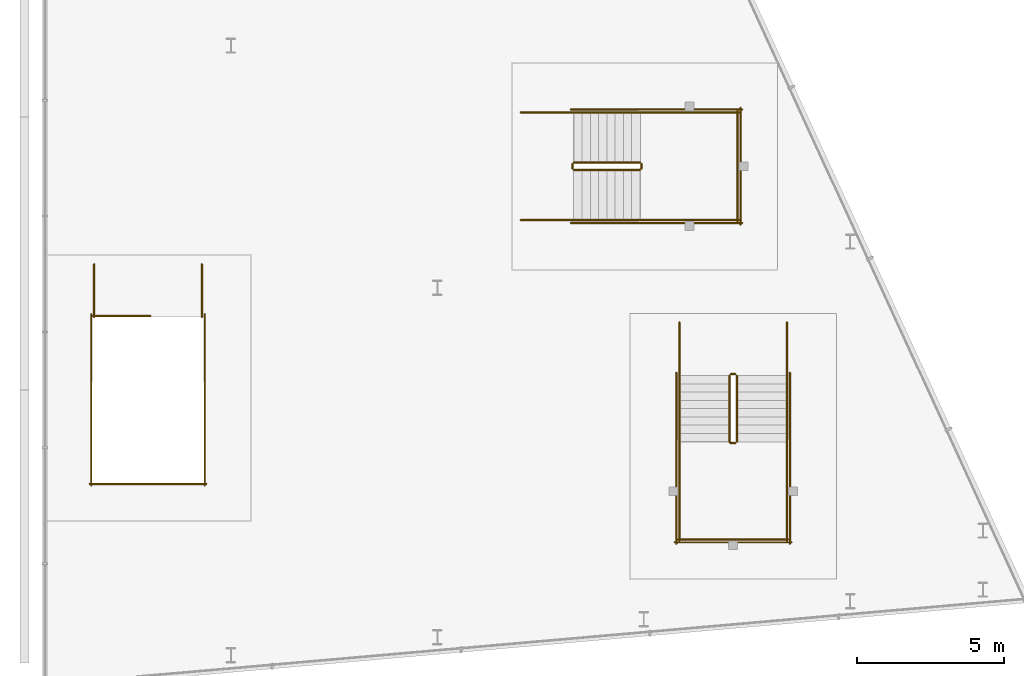
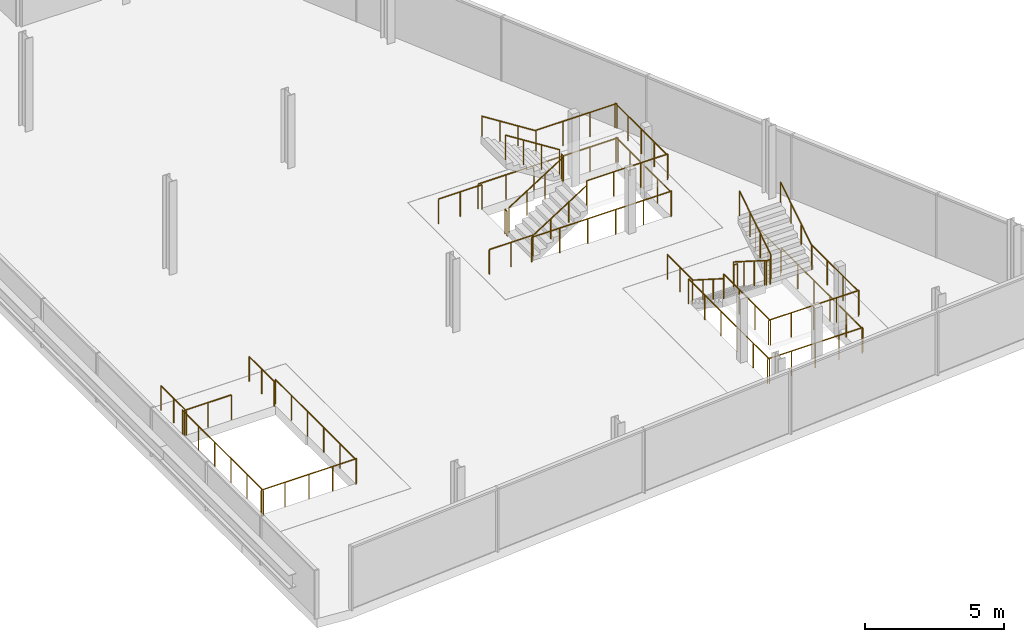
# One storey, part 8 of 9: 32 railings.
"""IFC4 building model written with IfcOpenShell, lengths in metres."""

import ifcopenshell
import ifcopenshell.guid

model = None  # the IFC model being written
_history = None  # IfcOwnerHistory: only IFC2X3 demands one
_inside = {}  # id of a spatial element -> (the spatial element, [elements in it])
_under = {}  # id of a project, library or spatial element -> (it, [spatial elements below it])
_declared = {}  # id of a project -> (the project, [libraries it declares])
_typed = {}  # id of a type object -> (the type object, [elements of that type])
_made_of = {}  # id of a material, layer set ... -> (it, [elements and type objects made of it])


def new_model(schema):
    """Start an empty IFC model of exactly this schema.

    Asked for "IFC4X3", IfcOpenShell would pick the latest addendum, in which some entities
    have other attributes; the version numbers below select the first issue.
    IFC2X3 requires an IfcOwnerHistory on every rooted entity: one is made here for all.
    """
    global model, _history
    if schema == "IFC4X3":
        model = ifcopenshell.file(schema_version=(4, 3, 0, 0))
    else:
        model = ifcopenshell.file(schema=schema)
    _inside.clear()
    _under.clear()
    _declared.clear()
    _typed.clear()
    _made_of.clear()
    _history = None
    if model.schema == "IFC2X3":
        org = make("IfcOrganization", Name="unknown")
        user = make(
            "IfcPersonAndOrganization",
            ThePerson=make("IfcPerson", FamilyName="unknown"),
            TheOrganization=org,
        )
        app = make(
            "IfcApplication",
            ApplicationDeveloper=org,
            Version="unknown",
            ApplicationFullName="unknown",
            ApplicationIdentifier="unknown",
        )
        _history = make(
            "IfcOwnerHistory",
            OwningUser=user,
            OwningApplication=app,
            ChangeAction="ADDED",
            CreationDate=0,
        )
    return model


def make(cls, **values):
    """One entity of the class cls with the attributes given. An attribute that is None is left unset."""
    return model.create_entity(
        cls, **{name: value for name, value in values.items() if value is not None}
    )


def rooted(cls, **values):
    """An entity with a GlobalId (a new one), such as an element, a storey or a relation."""
    return make(cls, GlobalId=ifcopenshell.guid.new(), OwnerHistory=_history, **values)


def si_unit(unit_type, name, prefix=None):
    """IfcSIUnit, for example si_unit("LENGTHUNIT", "METRE", prefix="MILLI")."""
    return make("IfcSIUnit", UnitType=unit_type, Prefix=prefix, Name=name)


def assignment(units):
    """IfcUnitAssignment: the units of a project."""
    return None if units is None else make("IfcUnitAssignment", Units=units)


def point(xyz):
    """IfcCartesianPoint."""
    return None if xyz is None else make("IfcCartesianPoint", Coordinates=xyz)


def direction(xyz):
    """IfcDirection."""
    return None if xyz is None else make("IfcDirection", DirectionRatios=xyz)


def frame(location, z_axis=None, x_axis=None):
    """IfcAxis2Placement3D, a coordinate frame: its origin and axes. An axis left out is left unset."""
    return make(
        "IfcAxis2Placement3D",
        Location=point(location),
        Axis=direction(z_axis),
        RefDirection=direction(x_axis),
    )


def frame_2d(location, x_axis=None):
    """IfcAxis2Placement2D, a coordinate frame in the plane: its origin and x axis."""
    return make(
        "IfcAxis2Placement2D", Location=point(location), RefDirection=direction(x_axis)
    )


def origin():
    """The frame at (0, 0, 0) with its axes left unset."""
    return frame((0.0, 0.0, 0.0))


def origin_2d():
    """The frame at (0, 0) in the plane with its x axis left unset."""
    return frame_2d((0.0, 0.0))


def place(relative_to, where):
    """IfcLocalPlacement: puts the frame where relative to a parent placement (None: the world)."""
    return make(
        "IfcLocalPlacement", PlacementRelTo=relative_to, RelativePlacement=where
    )


def context(
    kind, dimensions, precision=None, world=None, true_north=None, identifier=None
):
    """IfcGeometricRepresentationContext, for example the 3D "Model" context."""
    return make(
        "IfcGeometricRepresentationContext",
        ContextIdentifier=identifier,
        ContextType=kind,
        CoordinateSpaceDimension=dimensions,
        Precision=precision,
        WorldCoordinateSystem=world,
        TrueNorth=true_north,
    )


def subcontext(parent, identifier, kind, view, scale=None):
    """IfcGeometricRepresentationSubContext, for example "Body" below "Model"."""
    return make(
        "IfcGeometricRepresentationSubContext",
        ContextIdentifier=identifier,
        ContextType=kind,
        ParentContext=parent,
        TargetScale=scale,
        TargetView=view,
    )


def project(units=None, contexts=None):
    """IfcProject with its units and contexts."""
    return rooted(
        "IfcProject",
        Name="project",
        RepresentationContexts=contexts,
        UnitsInContext=assignment(units),
    )


def spatial(cls, under=None, at=None, **own):
    """A site, building, storey or space (cls), placed at a placement, below another one or the project."""
    s = rooted(cls, ObjectPlacement=at, **own)
    if under is not None:
        _under.setdefault(under.id(), (under, []))[1].append(s)
    return s


def profile(cls, at=None, kind="AREA", **sizes):
    """A parametric profile (cls). Its sizes go by their IFC names, for example OverallWidth=200.0."""
    return make(cls, ProfileType=kind, Position=at, **sizes)


def circle(**sizes):
    """IfcCircleProfileDef."""
    return profile("IfcCircleProfileDef", **sizes)


def extrude(swept, where, along, depth):
    """IfcExtrudedAreaSolid: the profile swept, set in the frame where, extruded along a direction by depth."""
    return make(
        "IfcExtrudedAreaSolid",
        SweptArea=swept,
        Position=where,
        ExtrudedDirection=direction(along),
        Depth=depth,
    )


def shape(context_of_items, identifier, shape_type, items):
    """IfcShapeRepresentation: the items that make up one representation, for example the "Body"."""
    return make(
        "IfcShapeRepresentation",
        ContextOfItems=context_of_items,
        RepresentationIdentifier=identifier,
        RepresentationType=shape_type,
        Items=items,
    )


def material(Name=None, Category=None):
    """IfcMaterial."""
    return make("IfcMaterial", Name=Name, Category=Category)


def made_of(thing, what):
    """Note that an element or type object is made of a material, layer set ...; save() writes the relation."""
    if what is not None:
        _made_of.setdefault(what.id(), (what, []))[1].append(thing)
    return thing


def type_object(cls, material=None, **own):
    """A type object (cls), such as IfcWallType, which elements share."""
    return made_of(rooted(cls, **own), material)


def element(
    cls,
    number,
    at=None,
    inside=None,
    cuts=None,
    type_object=None,
    material=None,
    context=None,
    identifier="Body",
    shape_type=None,
    held_by="IfcProductDefinitionShape",
    body=None,
    shapes=None,
    **own,
):
    """One element of the class cls, such as IfcWall. Its Tag is "e" and its number.

    at: its placement. inside: the storey or other place that contains it. cuts: it is an
    opening in that element (IfcRelVoidsElement). A single representation is given by context,
    identifier, shape_type and body (its items); several are given by shapes. held_by: the class
    of the entity that holds the representations. save() writes the other relations.
    """
    e = rooted(cls, Tag="e%d" % number, ObjectPlacement=at, **own)
    if body is not None:
        shapes = [shape(context, identifier, shape_type, body)]
    if shapes is not None:
        e.Representation = make(held_by, Representations=shapes)
    if inside is not None:
        _inside.setdefault(inside.id(), (inside, []))[1].append(e)
    if cuts is not None:
        rooted(
            "IfcRelVoidsElement", RelatingBuildingElement=cuts, RelatedOpeningElement=e
        )
    if type_object is not None:
        _typed.setdefault(type_object.id(), (type_object, []))[1].append(e)
    return made_of(e, material)


def aggregate(whole, parts):
    """IfcRelAggregates: a whole, such as a stair, and the parts it consists of."""
    return rooted("IfcRelAggregates", RelatingObject=whole, RelatedObjects=parts)


def save(model, path):
    """Write the relations noted so far, then the file.

    IfcRelAggregates (storeys below a building ...), IfcRelContainedInSpatialStructure (elements
    in a storey), IfcRelDefinesByType, IfcRelAssociatesMaterial and IfcRelDeclares: one each for
    every whole, place, type object, material and project.
    """
    for whole, parts in _under.values():
        aggregate(whole, parts)
    for where, things in _inside.values():
        rooted(
            "IfcRelContainedInSpatialStructure",
            RelatedElements=things,
            RelatingStructure=where,
        )
    for kind, things in _typed.values():
        rooted("IfcRelDefinesByType", RelatedObjects=things, RelatingType=kind)
    for what, things in _made_of.values():
        rooted("IfcRelAssociatesMaterial", RelatedObjects=things, RelatingMaterial=what)
    for by, libraries in _declared.values():
        rooted("IfcRelDeclares", RelatingContext=by, RelatedDefinitions=libraries)
    model.write(path)


model = new_model("IFC4")

# Units and contexts
model_context = context("Model", 3, precision=1e-05, world=origin(), true_north=direction((0.0, 1.0)))
body_context = subcontext(model_context, "Body", "Model", "MODEL_VIEW")
ifc_project = project(units=[si_unit("LENGTHUNIT", "METRE"), si_unit("AREAUNIT", "SQUARE_METRE"), si_unit("VOLUMEUNIT", "CUBIC_METRE"), si_unit("PLANEANGLEUNIT", "RADIAN"), si_unit("MASSUNIT", "GRAM", prefix="KILO")], contexts=[model_context])

# Site, building, storey
site_placement = place(None, origin())
site = spatial("IfcSite", under=ifc_project, at=site_placement, CompositionType="ELEMENT")
building_placement = place(site_placement, origin())
building = spatial("IfcBuilding", under=site, at=building_placement, Name="Wharfspan Tower", CompositionType="ELEMENT")
storey_placement = place(building_placement, frame((0.0, 0.0, 270.699951)))
storey = spatial("IfcBuildingStorey", under=building, at=storey_placement, Name="L69", CompositionType="ELEMENT", Elevation=270.699951)

# Railings
ifc_material = material(Name="Steel S355J2", Category="steel")
railing_type_1 = type_object("IfcRailingType", Name="Stair guard 1100", PredefinedType="GUARDRAIL", material=ifc_material)
railing_1_placement = place(storey_placement, frame((67.906738, 16.421631, 0.177734)))
element("IfcRailing", 1, at=railing_1_placement, inside=storey, type_object=railing_type_1, Name="L69 ST7 stair guard 1", PredefinedType="GUARDRAIL", context=body_context, shape_type="SweptSolid", body=[
    extrude(circle(Radius=0.023926, at=origin_2d()), frame((0.0, 0.0, 1.076172), z_axis=(0.0, -0.844188, 0.536048), x_axis=(1.0, 0.0, 0.0)), (0.0, 0.0, 1.0), 2.65332),
    extrude(circle(Radius=0.023926, at=origin_2d()), frame((0.0, -2.23999, 2.498535), z_axis=(0.707107, -0.707107, 0.0), x_axis=(0.707107, 0.707107, 0.0)), (0.0, 0.0, 1.0), 0.070312),
    extrude(circle(Radius=0.023926, at=origin_2d()), frame((0.049805, -2.289795, 2.498535), z_axis=(1.0, 0.0, 0.0), x_axis=(0.0, 1.0, 0.0)), (0.0, 0.0, 1.0), 0.150146),
    extrude(circle(Radius=0.020996, at=origin_2d()), origin(), (0.0, 0.0, 1.0), 1.052002),
    extrude(circle(Radius=0.020996, at=origin_2d()), frame((0.0, -0.746582, 0.474121)), (0.0, 0.0, 1.0), 1.052002),
    extrude(circle(Radius=0.020996, at=origin_2d()), frame((0.0, -1.493408, 0.948242)), (0.0, 0.0, 1.0), 1.052002),
    extrude(circle(Radius=0.020996, at=origin_2d()), frame((0.0, -2.23999, 1.422363)), (0.0, 0.0, 1.0), 1.052002),
    extrude(circle(Radius=0.020996, at=origin_2d()), frame((0.049805, -2.289795, 1.422363)), (0.0, 0.0, 1.0), 1.052002),
    extrude(circle(Radius=0.020996, at=origin_2d()), frame((0.199951, -2.289795, 1.422363)), (0.0, 0.0, 1.0), 1.052002),
])
for number, where, name in (
    (2, (66.206543, 14.181641, 1.600098), "L69 ST7 stair guard 2"),
    (3, (69.856689, 14.181641, 1.600098), "L69 ST7 stair guard 3"),
):
    element("IfcRailing", number, at=place(storey_placement, frame(where)), inside=storey, type_object=railing_type_1, Name=name, PredefinedType="GUARDRAIL", context=body_context, shape_type="SweptSolid", body=[
        extrude(circle(Radius=0.023926, at=origin_2d()), frame((0.0, 0.0, 1.076172), z_axis=(0.0, -1.0, 0.0), x_axis=(1.0, 0.0, 0.0)), (0.0, 0.0, 1.0), 3.359863),
        extrude(circle(Radius=0.020996, at=origin_2d()), origin(), (0.0, 0.0, 1.0), 1.052002),
        extrude(circle(Radius=0.020996, at=origin_2d()), frame((0.0, -1.119873, 0.0)), (0.0, 0.0, 1.0), 1.052002),
        extrude(circle(Radius=0.020996, at=origin_2d()), frame((0.0, -2.23999, 0.0)), (0.0, 0.0, 1.0), 1.052002),
        extrude(circle(Radius=0.020996, at=origin_2d()), frame((0.0, -3.359863, 0.0)), (0.0, 0.0, 1.0), 1.052002),
    ])
railing_2_placement = place(storey_placement, frame((66.156738, 10.871826, 1.600098)))
element("IfcRailing", 4, at=railing_2_placement, inside=storey, type_object=railing_type_1, Name="L69 ST7 stair guard 4", PredefinedType="GUARDRAIL", context=body_context, shape_type="SweptSolid", body=[
    extrude(circle(Radius=0.023926, at=origin_2d()), frame((0.0, 0.0, 1.076172), z_axis=(1.0, 0.0, 0.0), x_axis=(0.0, 1.0, 0.0)), (0.0, 0.0, 1.0), 3.75),
    extrude(circle(Radius=0.020996, at=origin_2d()), origin(), (0.0, 0.0, 1.0), 1.052002),
    extrude(circle(Radius=0.020996, at=origin_2d()), frame((0.9375, 0.0, 0.0)), (0.0, 0.0, 1.0), 1.052002),
    extrude(circle(Radius=0.020996, at=origin_2d()), frame((1.875, 0.0, 0.0)), (0.0, 0.0, 1.0), 1.052002),
    extrude(circle(Radius=0.020996, at=origin_2d()), frame((2.8125, 0.0, 0.0)), (0.0, 0.0, 1.0), 1.052002),
    extrude(circle(Radius=0.020996, at=origin_2d()), frame((3.75, 0.0, 0.0)), (0.0, 0.0, 1.0), 1.052002),
])
railing_3_placement = place(storey_placement, frame((68.156738, 14.181641, 1.777832)))
element("IfcRailing", 5, at=railing_3_placement, inside=storey, type_object=railing_type_1, Name="L69 ST7 stair guard 5", PredefinedType="GUARDRAIL", context=body_context, shape_type="SweptSolid", body=[
    extrude(circle(Radius=0.023926, at=origin_2d()), frame((0.0, 0.0, 1.076172), z_axis=(0.0, 0.844229, 0.535982), x_axis=(-1.0, 0.0, 0.0)), (0.0, 0.0, 1.0), 2.65332),
    extrude(circle(Radius=0.020996, at=origin_2d()), origin(), (0.0, 0.0, 1.0), 1.052002),
    extrude(circle(Radius=0.020996, at=origin_2d()), frame((0.0, 0.746582, 0.474121)), (0.0, 0.0, 1.0), 1.052002),
    extrude(circle(Radius=0.020996, at=origin_2d()), frame((0.0, 1.493408, 0.947998)), (0.0, 0.0, 1.0), 1.052002),
    extrude(circle(Radius=0.020996, at=origin_2d()), frame((0.0, 2.23999, 1.422119)), (0.0, 0.0, 1.0), 1.052002),
])
railing_4_placement = place(storey_placement, frame((67.956543, 16.47168, 0.0)))
element("IfcRailing", 6, at=railing_4_placement, inside=storey, type_object=railing_type_1, Name="L69 ST7 stair guard 6", PredefinedType="GUARDRAIL", context=body_context, shape_type="SweptSolid", body=[
    extrude(circle(Radius=0.023926, at=origin_2d()), frame((0.0, 0.0, 1.076172), z_axis=(1.0, 0.0, 0.0), x_axis=(0.0, 1.0, 0.0)), (0.0, 0.0, 1.0), 0.150146),
    extrude(circle(Radius=0.020996, at=origin_2d()), origin(), (0.0, 0.0, 1.0), 1.052002),
    extrude(circle(Radius=0.020996, at=origin_2d()), frame((0.150146, 0.0, 0.0)), (0.0, 0.0, 1.0), 1.052002),
])
for number, where, name in (
    (7, (66.206543, 18.22168, 0.0), "L69 ST7 stair guard 7"),
    (8, (69.856689, 18.22168, 0.0), "L69 ST7 stair guard 8"),
):
    element("IfcRailing", number, at=place(storey_placement, frame(where)), inside=storey, type_object=railing_type_1, Name=name, PredefinedType="GUARDRAIL", context=body_context, shape_type="SweptSolid", body=[
        extrude(circle(Radius=0.023926, at=origin_2d()), frame((0.0, 0.0, 1.076172), z_axis=(0.0, -1.0, 0.0), x_axis=(1.0, 0.0, 0.0)), (0.0, 0.0, 1.0), 1.800049),
        extrude(circle(Radius=0.020996, at=origin_2d()), origin(), (0.0, 0.0, 1.0), 1.052002),
        extrude(circle(Radius=0.020996, at=origin_2d()), frame((0.0, -0.899902, 0.0)), (0.0, 0.0, 1.0), 1.052002),
        extrude(circle(Radius=0.020996, at=origin_2d()), frame((0.0, -1.800049, 0.0)), (0.0, 0.0, 1.0), 1.052002),
    ])
for number, where, name in (
    (9, (66.106689, 16.521729, 0.0), "L69 ST7 stair guard 9"),
    (10, (69.956543, 16.521729, 0.0), "L69 ST7 stair guard 10"),
):
    element("IfcRailing", number, at=place(storey_placement, frame(where)), inside=storey, type_object=railing_type_1, Name=name, PredefinedType="GUARDRAIL", context=body_context, shape_type="SweptSolid", body=[
        extrude(circle(Radius=0.023926, at=origin_2d()), frame((0.0, 0.0, 1.076172), z_axis=(0.0, -1.0, 0.0), x_axis=(1.0, 0.0, 0.0)), (0.0, 0.0, 1.0), 5.800049),
        extrude(circle(Radius=0.020996, at=origin_2d()), origin(), (0.0, 0.0, 1.0), 1.052002),
        extrude(circle(Radius=0.020996, at=origin_2d()), frame((0.0, -1.159912, 0.0)), (0.0, 0.0, 1.0), 1.052002),
        extrude(circle(Radius=0.020996, at=origin_2d()), frame((0.0, -2.320068, 0.0)), (0.0, 0.0, 1.0), 1.052002),
        extrude(circle(Radius=0.020996, at=origin_2d()), frame((0.0, -3.47998, 0.0)), (0.0, 0.0, 1.0), 1.052002),
        extrude(circle(Radius=0.020996, at=origin_2d()), frame((0.0, -4.640137, 0.0)), (0.0, 0.0, 1.0), 1.052002),
        extrude(circle(Radius=0.020996, at=origin_2d()), frame((0.0, -5.800049, 0.0)), (0.0, 0.0, 1.0), 1.052002),
    ])
railing_5_placement = place(storey_placement, frame((66.056641, 10.771729, 0.0)))
element("IfcRailing", 11, at=railing_5_placement, inside=storey, type_object=railing_type_1, Name="L69 ST7 stair guard 11", PredefinedType="GUARDRAIL", context=body_context, shape_type="SweptSolid", body=[
    extrude(circle(Radius=0.023926, at=origin_2d()), frame((0.0, 0.0, 1.076172), z_axis=(1.0, 0.0, 0.0), x_axis=(0.0, 1.0, 0.0)), (0.0, 0.0, 1.0), 3.949951),
    extrude(circle(Radius=0.020996, at=origin_2d()), origin(), (0.0, 0.0, 1.0), 1.052002),
    extrude(circle(Radius=0.020996, at=origin_2d()), frame((0.987549, 0.0, 0.0)), (0.0, 0.0, 1.0), 1.052002),
    extrude(circle(Radius=0.020996, at=origin_2d()), frame((1.975098, 0.0, 0.0)), (0.0, 0.0, 1.0), 1.052002),
    extrude(circle(Radius=0.020996, at=origin_2d()), frame((2.962402, 0.0, 0.0)), (0.0, 0.0, 1.0), 1.052002),
    extrude(circle(Radius=0.020996, at=origin_2d()), frame((3.949951, 0.0, 0.0)), (0.0, 0.0, 1.0), 1.052002),
])
railing_6_placement = place(storey_placement, frame((62.631592, 23.396729, 0.177734)))
element("IfcRailing", 12, at=railing_6_placement, inside=storey, type_object=railing_type_1, Name="L69 ST8 stair guard 1", PredefinedType="GUARDRAIL", context=body_context, shape_type="SweptSolid", body=[
    extrude(circle(Radius=0.023926, at=origin_2d()), frame((0.0, 0.0, 1.076172), z_axis=(0.844188, 0.0, 0.536048), x_axis=(0.0, 1.0, 0.0)), (0.0, 0.0, 1.0), 2.65332),
    extrude(circle(Radius=0.023926, at=origin_2d()), frame((2.23999, 0.0, 2.498535), z_axis=(0.707107, 0.707107, 0.0), x_axis=(-0.707107, 0.707107, 0.0)), (0.0, 0.0, 1.0), 0.070801),
    extrude(circle(Radius=0.023926, at=origin_2d()), frame((2.290039, 0.050049, 2.498535), z_axis=(0.0, 1.0, 0.0), x_axis=(-1.0, 0.0, 0.0)), (0.0, 0.0, 1.0), 0.149902),
    extrude(circle(Radius=0.020996, at=origin_2d()), origin(), (0.0, 0.0, 1.0), 1.052002),
    extrude(circle(Radius=0.020996, at=origin_2d()), frame((0.746582, 0.0, 0.474121)), (0.0, 0.0, 1.0), 1.052002),
    extrude(circle(Radius=0.020996, at=origin_2d()), frame((1.493408, 0.0, 0.948242)), (0.0, 0.0, 1.0), 1.052002),
    extrude(circle(Radius=0.020996, at=origin_2d()), frame((2.23999, 0.0, 1.422363)), (0.0, 0.0, 1.0), 1.052002),
    extrude(circle(Radius=0.020996, at=origin_2d()), frame((2.290039, 0.050049, 1.422363)), (0.0, 0.0, 1.0), 1.052002),
    extrude(circle(Radius=0.020996, at=origin_2d()), frame((2.290039, 0.199951, 1.422363)), (0.0, 0.0, 1.0), 1.052002),
])
for number, where, name in (
    (13, (64.871582, 21.696777, 1.600098), "L69 ST8 stair guard 2"),
    (14, (64.871582, 25.34668, 1.600098), "L69 ST8 stair guard 3"),
):
    element("IfcRailing", number, at=place(storey_placement, frame(where)), inside=storey, type_object=railing_type_1, Name=name, PredefinedType="GUARDRAIL", context=body_context, shape_type="SweptSolid", body=[
        extrude(circle(Radius=0.023926, at=origin_2d()), frame((0.0, 0.0, 1.076172), z_axis=(1.0, 0.0, 0.0), x_axis=(0.0, 1.0, 0.0)), (0.0, 0.0, 1.0), 3.360107),
        extrude(circle(Radius=0.020996, at=origin_2d()), origin(), (0.0, 0.0, 1.0), 1.052002),
        extrude(circle(Radius=0.020996, at=origin_2d()), frame((1.120117, 0.0, 0.0)), (0.0, 0.0, 1.0), 1.052002),
        extrude(circle(Radius=0.020996, at=origin_2d()), frame((2.23999, 0.0, 0.0)), (0.0, 0.0, 1.0), 1.052002),
        extrude(circle(Radius=0.020996, at=origin_2d()), frame((3.360107, 0.0, 0.0)), (0.0, 0.0, 1.0), 1.052002),
    ])
railing_7_placement = place(storey_placement, frame((68.181641, 21.646729, 1.600098)))
element("IfcRailing", 15, at=railing_7_placement, inside=storey, type_object=railing_type_1, Name="L69 ST8 stair guard 4", PredefinedType="GUARDRAIL", context=body_context, shape_type="SweptSolid", body=[
    extrude(circle(Radius=0.023926, at=origin_2d()), frame((0.0, 0.0, 1.076172), z_axis=(0.0, 1.0, 0.0), x_axis=(-1.0, 0.0, 0.0)), (0.0, 0.0, 1.0), 3.75),
    extrude(circle(Radius=0.020996, at=origin_2d()), origin(), (0.0, 0.0, 1.0), 1.052002),
    extrude(circle(Radius=0.020996, at=origin_2d()), frame((0.0, 0.9375, 0.0)), (0.0, 0.0, 1.0), 1.052002),
    extrude(circle(Radius=0.020996, at=origin_2d()), frame((0.0, 1.875, 0.0)), (0.0, 0.0, 1.0), 1.052002),
    extrude(circle(Radius=0.020996, at=origin_2d()), frame((0.0, 2.8125, 0.0)), (0.0, 0.0, 1.0), 1.052002),
    extrude(circle(Radius=0.020996, at=origin_2d()), frame((0.0, 3.75, 0.0)), (0.0, 0.0, 1.0), 1.052002),
])
railing_8_placement = place(storey_placement, frame((64.871582, 23.646729, 1.777832)))
element("IfcRailing", 16, at=railing_8_placement, inside=storey, type_object=railing_type_1, Name="L69 ST8 stair guard 5", PredefinedType="GUARDRAIL", context=body_context, shape_type="SweptSolid", body=[
    extrude(circle(Radius=0.023926, at=origin_2d()), frame((0.0, 0.0, 1.076172), z_axis=(-0.844229, 0.0, 0.535982), x_axis=(0.0, -1.0, 0.0)), (0.0, 0.0, 1.0), 2.65332),
    extrude(circle(Radius=0.020996, at=origin_2d()), origin(), (0.0, 0.0, 1.0), 1.052002),
    extrude(circle(Radius=0.020996, at=origin_2d()), frame((-0.746582, 0.0, 0.474121)), (0.0, 0.0, 1.0), 1.052002),
    extrude(circle(Radius=0.020996, at=origin_2d()), frame((-1.493408, 0.0, 0.947998)), (0.0, 0.0, 1.0), 1.052002),
    extrude(circle(Radius=0.020996, at=origin_2d()), frame((-2.23999, 0.0, 1.422119)), (0.0, 0.0, 1.0), 1.052002),
])
railing_9_placement = place(storey_placement, frame((62.581543, 23.446777, 0.0)))
element("IfcRailing", 17, at=railing_9_placement, inside=storey, type_object=railing_type_1, Name="L69 ST8 stair guard 6", PredefinedType="GUARDRAIL", context=body_context, shape_type="SweptSolid", body=[
    extrude(circle(Radius=0.023926, at=origin_2d()), frame((0.0, 0.0, 1.076172), z_axis=(0.0, 1.0, 0.0), x_axis=(-1.0, 0.0, 0.0)), (0.0, 0.0, 1.0), 0.149902),
    extrude(circle(Radius=0.020996, at=origin_2d()), origin(), (0.0, 0.0, 1.0), 1.052002),
    extrude(circle(Radius=0.020996, at=origin_2d()), frame((0.0, 0.149902, 0.0)), (0.0, 0.0, 1.0), 1.052002),
])
for number, where, name in (
    (18, (60.831543, 21.696777, 0.0), "L69 ST8 stair guard 7"),
    (19, (60.831543, 25.34668, 0.0), "L69 ST8 stair guard 8"),
):
    element("IfcRailing", number, at=place(storey_placement, frame(where)), inside=storey, type_object=railing_type_1, Name=name, PredefinedType="GUARDRAIL", context=body_context, shape_type="SweptSolid", body=[
        extrude(circle(Radius=0.023926, at=origin_2d()), frame((0.0, 0.0, 1.076172), z_axis=(1.0, 0.0, 0.0), x_axis=(0.0, 1.0, 0.0)), (0.0, 0.0, 1.0), 1.800049),
        extrude(circle(Radius=0.020996, at=origin_2d()), origin(), (0.0, 0.0, 1.0), 1.052002),
        extrude(circle(Radius=0.020996, at=origin_2d()), frame((0.899902, 0.0, 0.0)), (0.0, 0.0, 1.0), 1.052002),
        extrude(circle(Radius=0.020996, at=origin_2d()), frame((1.800049, 0.0, 0.0)), (0.0, 0.0, 1.0), 1.052002),
    ])
for number, where, name in (
    (20, (62.531738, 21.59668, 0.0), "L69 ST8 stair guard 9"),
    (21, (62.531738, 25.446777, 0.0), "L69 ST8 stair guard 10"),
):
    element("IfcRailing", number, at=place(storey_placement, frame(where)), inside=storey, type_object=railing_type_1, Name=name, PredefinedType="GUARDRAIL", context=body_context, shape_type="SweptSolid", body=[
        extrude(circle(Radius=0.023926, at=origin_2d()), frame((0.0, 0.0, 1.076172), z_axis=(1.0, 0.0, 0.0), x_axis=(0.0, 1.0, 0.0)), (0.0, 0.0, 1.0), 5.799805),
        extrude(circle(Radius=0.020996, at=origin_2d()), origin(), (0.0, 0.0, 1.0), 1.052002),
        extrude(circle(Radius=0.020996, at=origin_2d()), frame((1.159912, 0.0, 0.0)), (0.0, 0.0, 1.0), 1.052002),
        extrude(circle(Radius=0.020996, at=origin_2d()), frame((2.319824, 0.0, 0.0)), (0.0, 0.0, 1.0), 1.052002),
        extrude(circle(Radius=0.020996, at=origin_2d()), frame((3.47998, 0.0, 0.0)), (0.0, 0.0, 1.0), 1.052002),
        extrude(circle(Radius=0.020996, at=origin_2d()), frame((4.639893, 0.0, 0.0)), (0.0, 0.0, 1.0), 1.052002),
        extrude(circle(Radius=0.020996, at=origin_2d()), frame((5.799805, 0.0, 0.0)), (0.0, 0.0, 1.0), 1.052002),
    ])
railing_10_placement = place(storey_placement, frame((68.281738, 21.546631, 0.0)))
element("IfcRailing", 22, at=railing_10_placement, inside=storey, type_object=railing_type_1, Name="L69 ST8 stair guard 11", PredefinedType="GUARDRAIL", context=body_context, shape_type="SweptSolid", body=[
    extrude(circle(Radius=0.023926, at=origin_2d()), frame((0.0, 0.0, 1.076172), z_axis=(0.0, 1.0, 0.0), x_axis=(-1.0, 0.0, 0.0)), (0.0, 0.0, 1.0), 3.950195),
    extrude(circle(Radius=0.020996, at=origin_2d()), origin(), (0.0, 0.0, 1.0), 1.052002),
    extrude(circle(Radius=0.020996, at=origin_2d()), frame((0.0, 0.987549, 0.0)), (0.0, 0.0, 1.0), 1.052002),
    extrude(circle(Radius=0.020996, at=origin_2d()), frame((0.0, 1.975098, 0.0)), (0.0, 0.0, 1.0), 1.052002),
    extrude(circle(Radius=0.020996, at=origin_2d()), frame((0.0, 2.962646, 0.0)), (0.0, 0.0, 1.0), 1.052002),
    extrude(circle(Radius=0.020996, at=origin_2d()), frame((0.0, 3.950195, 0.0)), (0.0, 0.0, 1.0), 1.052002),
])
railing_11_placement = place(storey_placement, frame((46.316162, 18.450439, 0.0)))
element("IfcRailing", 23, at=railing_11_placement, inside=storey, type_object=railing_type_1, Name="L69 ST9 top well guard 1", PredefinedType="GUARDRAIL", context=body_context, shape_type="SweptSolid", body=[
    extrude(circle(Radius=0.023926, at=origin_2d()), frame((0.0, 0.0, 1.076172), z_axis=(1.0, 0.0, 0.0), x_axis=(0.0, 1.0, 0.0)), (0.0, 0.0, 1.0), 1.949951),
    extrude(circle(Radius=0.020996, at=origin_2d()), origin(), (0.0, 0.0, 1.0), 1.052002),
    extrude(circle(Radius=0.020996, at=origin_2d()), frame((0.975098, 0.0, 0.0)), (0.0, 0.0, 1.0), 1.052002),
    extrude(circle(Radius=0.020996, at=origin_2d()), frame((1.949951, 0.0, 0.0)), (0.0, 0.0, 1.0), 1.052002),
])
for number, where, name in (
    (24, (46.266113, 18.500244, 0.0), "L69 ST9 top well guard 2"),
    (25, (50.115967, 18.500244, 0.0), "L69 ST9 top well guard 3"),
):
    element("IfcRailing", number, at=place(storey_placement, frame(where)), inside=storey, type_object=railing_type_1, Name=name, PredefinedType="GUARDRAIL", context=body_context, shape_type="SweptSolid", body=[
        extrude(circle(Radius=0.023926, at=origin_2d()), frame((0.0, 0.0, 1.076172), z_axis=(0.0, -1.0, 0.0), x_axis=(1.0, 0.0, 0.0)), (0.0, 0.0, 1.0), 5.799805),
        extrude(circle(Radius=0.020996, at=origin_2d()), origin(), (0.0, 0.0, 1.0), 1.052002),
        extrude(circle(Radius=0.020996, at=origin_2d()), frame((0.0, -1.159912, 0.0)), (0.0, 0.0, 1.0), 1.052002),
        extrude(circle(Radius=0.020996, at=origin_2d()), frame((0.0, -2.319824, 0.0)), (0.0, 0.0, 1.0), 1.052002),
        extrude(circle(Radius=0.020996, at=origin_2d()), frame((0.0, -3.47998, 0.0)), (0.0, 0.0, 1.0), 1.052002),
        extrude(circle(Radius=0.020996, at=origin_2d()), frame((0.0, -4.639893, 0.0)), (0.0, 0.0, 1.0), 1.052002),
        extrude(circle(Radius=0.020996, at=origin_2d()), frame((0.0, -5.799805, 0.0)), (0.0, 0.0, 1.0), 1.052002),
    ])
railing_12_placement = place(storey_placement, frame((46.216064, 12.750244, 0.0)))
element("IfcRailing", 26, at=railing_12_placement, inside=storey, type_object=railing_type_1, Name="L69 ST9 top well guard 4", PredefinedType="GUARDRAIL", context=body_context, shape_type="SweptSolid", body=[
    extrude(circle(Radius=0.023926, at=origin_2d()), frame((0.0, 0.0, 1.076172), z_axis=(1.0, 0.0, 0.0), x_axis=(0.0, 1.0, 0.0)), (0.0, 0.0, 1.0), 3.949951),
    extrude(circle(Radius=0.020996, at=origin_2d()), origin(), (0.0, 0.0, 1.0), 1.052002),
    extrude(circle(Radius=0.020996, at=origin_2d()), frame((0.987549, 0.0, 0.0)), (0.0, 0.0, 1.0), 1.052002),
    extrude(circle(Radius=0.020996, at=origin_2d()), frame((1.975098, 0.0, 0.0)), (0.0, 0.0, 1.0), 1.052002),
    extrude(circle(Radius=0.020996, at=origin_2d()), frame((2.962402, 0.0, 0.0)), (0.0, 0.0, 1.0), 1.052002),
    extrude(circle(Radius=0.020996, at=origin_2d()), frame((3.949951, 0.0, 0.0)), (0.0, 0.0, 1.0), 1.052002),
])
for number, where, name in (
    (27, (46.365967, 20.200439, 0.0), "L69 ST9 top well guard 5"),
    (28, (50.016113, 20.200439, 0.0), "L69 ST9 top well guard 6"),
):
    element("IfcRailing", number, at=place(storey_placement, frame(where)), inside=storey, type_object=railing_type_1, Name=name, PredefinedType="GUARDRAIL", context=body_context, shape_type="SweptSolid", body=[
        extrude(circle(Radius=0.023926, at=origin_2d()), frame((0.0, 0.0, 1.076172), z_axis=(0.0, -1.0, 0.0), x_axis=(1.0, 0.0, 0.0)), (0.0, 0.0, 1.0), 1.800049),
        extrude(circle(Radius=0.020996, at=origin_2d()), origin(), (0.0, 0.0, 1.0), 1.052002),
        extrude(circle(Radius=0.020996, at=origin_2d()), frame((0.0, -0.899902, 0.0)), (0.0, 0.0, 1.0), 1.052002),
        extrude(circle(Radius=0.020996, at=origin_2d()), frame((0.0, -1.800049, 0.0)), (0.0, 0.0, 1.0), 1.052002),
    ])
railing_type_2 = type_object("IfcRailingType", Name="Stair handrail 900", PredefinedType="HANDRAIL", material=ifc_material)
railing_13_placement = place(storey_placement, frame((66.206543, 16.421631, 0.177734)))
element("IfcRailing", 29, at=railing_13_placement, inside=storey, type_object=railing_type_2, Name="L69 ST7 stair handrail 1", PredefinedType="HANDRAIL", context=body_context, shape_type="SweptSolid", body=[
    extrude(circle(Radius=0.023926, at=origin_2d()), frame((0.0, 0.0, 0.875977), z_axis=(0.0, -0.844188, 0.536048), x_axis=(1.0, 0.0, 0.0)), (0.0, 0.0, 1.0), 2.65332),
    extrude(circle(Radius=0.020996, at=origin_2d()), origin(), (0.0, 0.0, 1.0), 0.851807),
    extrude(circle(Radius=0.020996, at=origin_2d()), frame((0.0, -0.746582, 0.474121)), (0.0, 0.0, 1.0), 0.851807),
    extrude(circle(Radius=0.020996, at=origin_2d()), frame((0.0, -1.493408, 0.948242)), (0.0, 0.0, 1.0), 0.851807),
    extrude(circle(Radius=0.020996, at=origin_2d()), frame((0.0, -2.23999, 1.422363)), (0.0, 0.0, 1.0), 0.851807),
])
railing_14_placement = place(storey_placement, frame((69.856689, 14.181641, 1.777832)))
element("IfcRailing", 30, at=railing_14_placement, inside=storey, type_object=railing_type_2, Name="L69 ST7 stair handrail 2", PredefinedType="HANDRAIL", context=body_context, shape_type="SweptSolid", body=[
    extrude(circle(Radius=0.023926, at=origin_2d()), frame((0.0, 0.0, 0.875977), z_axis=(0.0, 0.844229, 0.535982), x_axis=(-1.0, 0.0, 0.0)), (0.0, 0.0, 1.0), 2.65332),
    extrude(circle(Radius=0.020996, at=origin_2d()), origin(), (0.0, 0.0, 1.0), 0.851807),
    extrude(circle(Radius=0.020996, at=origin_2d()), frame((0.0, 0.746582, 0.474121)), (0.0, 0.0, 1.0), 0.851807),
    extrude(circle(Radius=0.020996, at=origin_2d()), frame((0.0, 1.493408, 0.947998)), (0.0, 0.0, 1.0), 0.851807),
    extrude(circle(Radius=0.020996, at=origin_2d()), frame((0.0, 2.23999, 1.422119)), (0.0, 0.0, 1.0), 0.851807),
])
railing_15_placement = place(storey_placement, frame((62.631592, 21.696777, 0.177734)))
element("IfcRailing", 31, at=railing_15_placement, inside=storey, type_object=railing_type_2, Name="L69 ST8 stair handrail 1", PredefinedType="HANDRAIL", context=body_context, shape_type="SweptSolid", body=[
    extrude(circle(Radius=0.023926, at=origin_2d()), frame((0.0, 0.0, 0.875977), z_axis=(0.844188, 0.0, 0.536048), x_axis=(0.0, 1.0, 0.0)), (0.0, 0.0, 1.0), 2.65332),
    extrude(circle(Radius=0.020996, at=origin_2d()), origin(), (0.0, 0.0, 1.0), 0.851807),
    extrude(circle(Radius=0.020996, at=origin_2d()), frame((0.746582, 0.0, 0.474121)), (0.0, 0.0, 1.0), 0.851807),
    extrude(circle(Radius=0.020996, at=origin_2d()), frame((1.493408, 0.0, 0.948242)), (0.0, 0.0, 1.0), 0.851807),
    extrude(circle(Radius=0.020996, at=origin_2d()), frame((2.23999, 0.0, 1.422363)), (0.0, 0.0, 1.0), 0.851807),
])
railing_16_placement = place(storey_placement, frame((64.871582, 25.34668, 1.777832)))
element("IfcRailing", 32, at=railing_16_placement, inside=storey, type_object=railing_type_2, Name="L69 ST8 stair handrail 2", PredefinedType="HANDRAIL", context=body_context, shape_type="SweptSolid", body=[
    extrude(circle(Radius=0.023926, at=origin_2d()), frame((0.0, 0.0, 0.875977), z_axis=(-0.844229, 0.0, 0.535982), x_axis=(0.0, -1.0, 0.0)), (0.0, 0.0, 1.0), 2.65332),
    extrude(circle(Radius=0.020996, at=origin_2d()), origin(), (0.0, 0.0, 1.0), 0.851807),
    extrude(circle(Radius=0.020996, at=origin_2d()), frame((-0.746582, 0.0, 0.474121)), (0.0, 0.0, 1.0), 0.851807),
    extrude(circle(Radius=0.020996, at=origin_2d()), frame((-1.493408, 0.0, 0.947998)), (0.0, 0.0, 1.0), 0.851807),
    extrude(circle(Radius=0.020996, at=origin_2d()), frame((-2.23999, 0.0, 1.422119)), (0.0, 0.0, 1.0), 0.851807),
])

save(model, "model.ifc")
